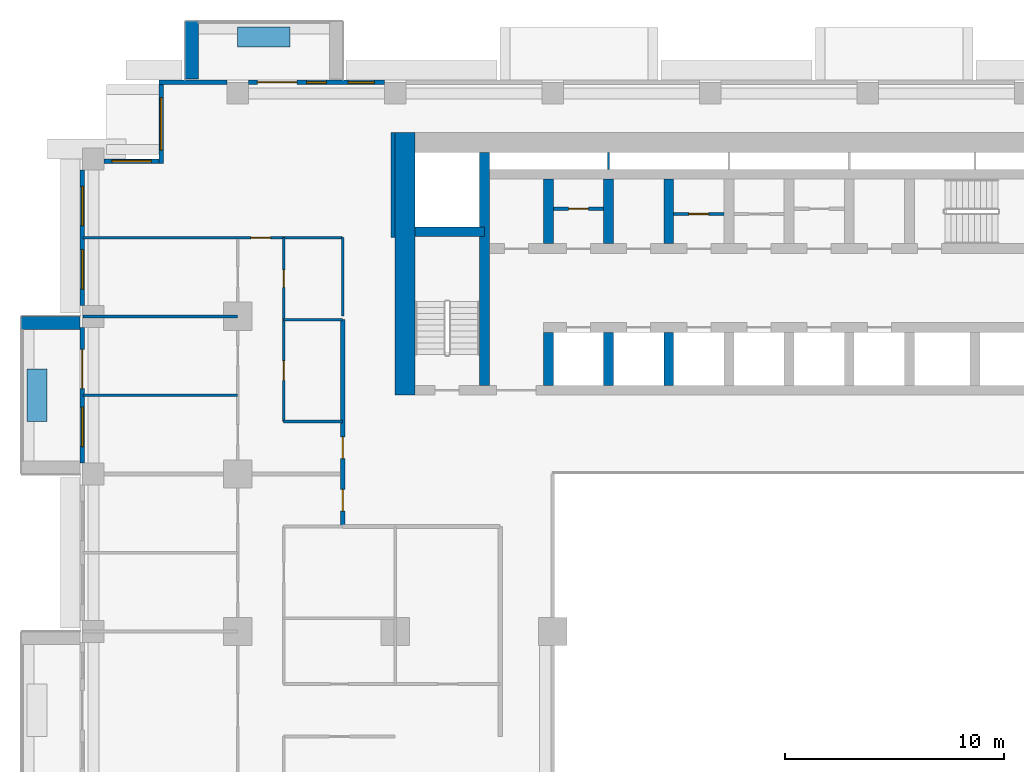
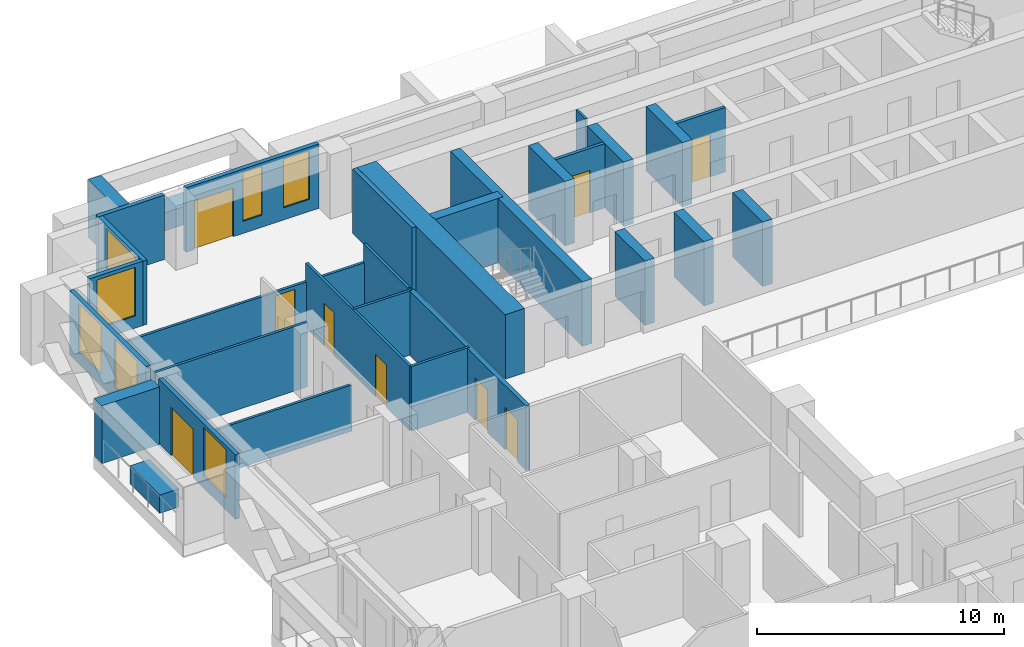
# One storey, part 9 of 17: 31 walls, 9 doors, 7 windows, 16 openings.
"""IFC4 building model written with IfcOpenShell, lengths in metres."""

from ifc_helpers import new_model, si_unit, direction, frame, frame_2d, origin, place, context, subcontext, project, spatial, rectangle, extrude, material, layer, layer_set, type_object, element, fill, save


model = new_model("IFC4")

# Units and contexts
model_context = context("Model", 3, precision=1e-05, world=origin(), true_north=direction((0.0, 1.0)))
body_context = subcontext(model_context, "Body", "Model", "MODEL_VIEW")
ifc_project = project(units=[si_unit("LENGTHUNIT", "METRE"), si_unit("AREAUNIT", "SQUARE_METRE"), si_unit("VOLUMEUNIT", "CUBIC_METRE"), si_unit("PLANEANGLEUNIT", "RADIAN"), si_unit("MASSUNIT", "GRAM", prefix="KILO")], contexts=[model_context])

# Site, building, storey
site_placement = place(None, origin())
site = spatial("IfcSite", under=ifc_project, at=site_placement, CompositionType="ELEMENT")
building_placement = place(site_placement, origin())
building = spatial("IfcBuilding", under=site, at=building_placement, Name="Saffron Iwan Residences", CompositionType="ELEMENT")
storey_placement = place(building_placement, frame((0.0, 0.0, 79.5)))
storey = spatial("IfcBuildingStorey", under=building, at=storey_placement, Name="L20", CompositionType="ELEMENT", Elevation=79.5)

# Walls
ifc_material_1 = material(Name="Concrete C50/60 white painted", Category="concrete")
ifc_layer_1 = layer(ifc_material_1, 0.60009765625)
ifc_layer_set_1 = layer_set([ifc_layer_1], Name="Concrete C50/60 white painted")
wall_type_1 = type_object("IfcWallType", Name="BALCONY FIN 600", PredefinedType="SOLIDWALL", material=ifc_layer_set_1)
wall_1_placement = place(storey_placement, frame((19.5, 80.449951171875, 0.0), z_axis=(0.0, 0.0, 1.0), x_axis=(0.0, 1.0, 0.0)))
element("IfcWall", 1, at=wall_1_placement, inside=storey, type_object=wall_type_1, Name="Balcony fin L20 F5-3b", PredefinedType="SOLIDWALL", context=body_context, shape_type="SweptSolid", body=[
    extrude(rectangle(XDim=2.650146484375, YDim=0.60009765625, at=frame_2d((1.3251953125, 0.0))), origin(), (0.0, 0.0, 1.0), 2.85009765625),
])
wall_2_placement = place(storey_placement, frame((14.39990234375, 69.300048828125, 0.0), z_axis=(0.0, 0.0, 1.0), x_axis=(-1.0, 0.0, 0.0)))
element("IfcWall", 2, at=wall_2_placement, inside=storey, type_object=wall_type_1, Name="Balcony fin L20 F8-0a", PredefinedType="SOLIDWALL", context=body_context, shape_type="SweptSolid", body=[
    extrude(rectangle(XDim=2.699951171875, YDim=0.60009765625, at=frame_2d((1.35009765625, 0.0))), origin(), (0.0, 0.0, 1.0), 2.85009765625),
])
ifc_material_2 = material(Name="Concrete C35/45 white painted", Category="concrete")
ifc_layer_2 = layer(ifc_material_2, 0.14990234375)
ifc_layer_set_2 = layer_set([ifc_layer_2], Name="Concrete C35/45 white painted")
wall_type_2 = type_object("IfcWallType", Name="BALCONY PLANTER", PredefinedType="SOLIDWALL", material=ifc_layer_set_2)
for number, where, z_axis, x_axis, name in (
    (3, (24.0, 82.375, 0.0), (0.0, 0.0, 1.0), (-1.0, 0.0, 0.0), "PLANTER L20 F5-3"),
    (4, (12.425048828125, 67.199951171875, 0.0), (0.0, 0.0, 1.0), (0.0, -1.0, 0.0), "PLANTER L20 F8-0"),
):
    element("IfcWall", number, at=place(storey_placement, frame(where, z_axis=z_axis, x_axis=x_axis)), inside=storey, type_object=wall_type_2, Name=name, PredefinedType="SOLIDWALL", context=body_context, shape_type="SweptSolid", body=[
        extrude(rectangle(XDim=2.39990234375, YDim=0.89990234375, at=frame_2d((1.199951171875, 0.0))), origin(), (0.0, 0.0, 1.0), 0.89990234375),
    ])

# Wall, opening, door
ifc_material_3 = material(Name="Fire-rated plasterboard partition")
ifc_layer_3 = layer(ifc_material_3, 0.14990234375)
ifc_layer_set_3 = layer_set([ifc_layer_3], Name="Fire-rated plasterboard partition")
wall_type_3 = type_object("IfcWallType", Name="Core partition 150", PredefinedType="PARTITIONING", material=ifc_layer_set_3)
wall_3_placement = place(storey_placement, frame((36.02490234375, 74.51806640625, 0.0), z_axis=(0.0, 0.0, 1.0), x_axis=(1.0, 0.0, 0.0)))
wall_3 = element("IfcWall", 5, at=wall_3_placement, inside=storey, type_object=wall_type_3, Name="Core partition P01", PredefinedType="PARTITIONING", context=body_context, shape_type="SweptSolid", body=[
    extrude(rectangle(XDim=2.300048828125, YDim=0.14990234375, at=frame_2d((1.14990234375, 0.0))), origin(), (0.0, 0.0, 1.0), 3.179931640625),
])
opening_1_placement = place(wall_3_placement, frame((0.699951171875, 0.0, 0.0)))
opening_1 = element("IfcOpeningElement", 6, at=opening_1_placement, cuts=wall_3, Name="Opening SB", PredefinedType="OPENING", context=body_context, shape_type="SweptSolid", body=[
    extrude(rectangle(XDim=0.89990234375, YDim=2.10009765625, at=frame_2d((0.449951171875, 1.050048828125))), frame((0.0, 0.0849609375, 0.0), z_axis=(0.0, -1.0, 0.0), x_axis=(1.0, 0.0, 0.0)), (0.0, 0.0, 1.0), 0.169921875),
])
ifc_material_4 = material(Name="Steel fire door", Category="steel")
door_type_1 = type_object("IfcDoorType", Name="Store door 900", OperationType="NOTDEFINED", PredefinedType="DOOR", material=ifc_material_4)
door_1_placement = place(opening_1_placement, origin())
door_1 = element("IfcDoor", 7, at=door_1_placement, inside=storey, type_object=door_type_1, Name="Door Equipment store", OperationType="SINGLE_SWING_RIGHT", OverallHeight=2.10009765625, OverallWidth=0.89990234375, PredefinedType="DOOR", context=body_context, shape_type="SweptSolid", body=[
    extrude(rectangle(XDim=0.89990234375, YDim=2.10009765625, at=frame_2d((0.449951171875, 1.050048828125))), frame((0.0, 0.02490234375, 0.0), z_axis=(0.0, -1.0, 0.0), x_axis=(1.0, 0.0, 0.0)), (0.0, 0.0, 1.0), 0.050048828125),
])
fill(opening_1, door_1)

wall_4_placement = place(storey_placement, frame((41.52490234375, 74.281982421875, 0.0), z_axis=(0.0, 0.0, 1.0), x_axis=(1.0, 0.0, 0.0)))
wall_4 = element("IfcWall", 8, at=wall_4_placement, inside=storey, type_object=wall_type_3, Name="Core partition P02", PredefinedType="PARTITIONING", context=body_context, shape_type="SweptSolid", body=[
    extrude(rectangle(XDim=2.300048828125, YDim=0.14990234375, at=frame_2d((1.14990234375, 0.0))), origin(), (0.0, 0.0, 1.0), 3.179931640625),
])
opening_2_placement = place(wall_4_placement, frame((0.699951171875, 0.0, 0.0)))
opening_2 = element("IfcOpeningElement", 9, at=opening_2_placement, cuts=wall_4, Name="Opening SB", PredefinedType="OPENING", context=body_context, shape_type="SweptSolid", body=[
    extrude(rectangle(XDim=0.89990234375, YDim=2.10009765625, at=frame_2d((0.449951171875, 1.050048828125))), frame((0.0, 0.0849609375, 0.0), z_axis=(0.0, -1.0, 0.0), x_axis=(1.0, 0.0, 0.0)), (0.0, 0.0, 1.0), 0.169921875),
])
door_2_placement = place(opening_2_placement, origin())
door_2 = element("IfcDoor", 10, at=door_2_placement, inside=storey, type_object=door_type_1, Name="Door Spares store", OperationType="SINGLE_SWING_LEFT", OverallHeight=2.10009765625, OverallWidth=0.89990234375, PredefinedType="DOOR", context=body_context, shape_type="SweptSolid", body=[
    extrude(rectangle(XDim=0.89990234375, YDim=2.10009765625, at=frame_2d((0.449951171875, 1.050048828125))), frame((0.0, 0.02490234375, 0.0), z_axis=(0.0, -1.0, 0.0), x_axis=(1.0, 0.0, 0.0)), (0.0, 0.0, 1.0), 0.050048828125),
])
fill(opening_2, door_2)

# Wall, openings, door, windows
ifc_material_5 = material(Name="Concrete C40/50", Category="concrete")
ifc_layer_4 = layer(ifc_material_5, 0.199951171875)
ifc_layer_set_4 = layer_set([ifc_layer_4], Name="Concrete C40/50")
wall_type_4 = type_object("IfcWallType", Name="EXTERNAL WALL 200", PredefinedType="SOLIDWALL", material=ifc_layer_set_4)
wall_5_placement = place(storey_placement, frame((28.300048828125, 80.300048828125, 0.0), z_axis=(0.0, 0.0, 1.0), x_axis=(-1.0, 0.0, 0.0)))
wall_5 = element("IfcWall", 11, at=wall_5_placement, inside=storey, type_object=wall_type_4, Name="External wall L20 F5.8", PredefinedType="SOLIDWALL", context=body_context, shape_type="SweptSolid", body=[
    extrude(rectangle(XDim=6.199951171875, YDim=0.199951171875, at=frame_2d((3.10009765625, 0.0))), origin(), (0.0, 0.0, 1.0), 3.179931640625),
])
opening_3_placement = place(wall_5_placement, frame((4.0, 0.0, 0.0)))
opening_3 = element("IfcOpeningElement", 12, at=opening_3_placement, cuts=wall_5, Name="Opening BD1", PredefinedType="OPENING", context=body_context, shape_type="SweptSolid", body=[
    extrude(rectangle(XDim=1.800048828125, YDim=2.39990234375, at=frame_2d((0.89990234375, 1.199951171875))), frame((0.0, 0.10986328125, 0.0), z_axis=(0.0, -1.0, 0.0), x_axis=(1.0, 0.0, 0.0)), (0.0, 0.0, 1.0), 0.219970703125),
])
opening_4_placement = place(wall_5_placement, frame((0.449951171875, 0.0, 0.60009765625)))
opening_4 = element("IfcOpeningElement", 13, at=opening_4_placement, cuts=wall_5, Name="Opening W3", PredefinedType="OPENING", context=body_context, shape_type="SweptSolid", body=[
    extrude(rectangle(XDim=1.199951171875, YDim=2.39990234375, at=frame_2d((0.60009765625, 1.199951171875))), frame((0.0, 0.10986328125, 0.0), z_axis=(0.0, -1.0, 0.0), x_axis=(1.0, 0.0, 0.0)), (0.0, 0.0, 1.0), 0.219970703125),
])
opening_5_placement = place(wall_5_placement, frame((2.64990234375, 0.0, 0.60009765625)))
opening_5 = element("IfcOpeningElement", 14, at=opening_5_placement, cuts=wall_5, Name="Opening W10", PredefinedType="OPENING", context=body_context, shape_type="SweptSolid", body=[
    extrude(rectangle(XDim=0.89990234375, YDim=2.39990234375, at=frame_2d((0.449951171875, 1.199951171875))), frame((0.0, 0.10986328125, 0.0), z_axis=(0.0, -1.0, 0.0), x_axis=(1.0, 0.0, 0.0)), (0.0, 0.0, 1.0), 0.219970703125),
])
ifc_material_6 = material(Name="Clear glass, laminated double glazed", Category="glass")
door_type_2 = type_object("IfcDoorType", Name="BALCONY DOOR 1800 x 2400", OperationType="DOUBLE_DOOR_SLIDING", PredefinedType="DOOR", material=ifc_material_6)
door_3_placement = place(opening_3_placement, origin())
door_3 = element("IfcDoor", 15, at=door_3_placement, inside=storey, type_object=door_type_2, Name="Balcony door L20 F5.0", OperationType="DOUBLE_DOOR_SLIDING", OverallHeight=2.39990234375, OverallWidth=1.800048828125, PredefinedType="DOOR", context=body_context, shape_type="SweptSolid", body=[
    extrude(rectangle(XDim=1.800048828125, YDim=2.39990234375, at=frame_2d((0.89990234375, 1.199951171875))), frame((0.0, 0.02490234375, 0.0), z_axis=(0.0, -1.0, 0.0), x_axis=(1.0, 0.0, 0.0)), (0.0, 0.0, 1.0), 0.050048828125),
])
fill(opening_3, door_3)
window_type_1 = type_object("IfcWindowType", Name="WINDOW 1200 x 2400", PartitioningType="SINGLE_PANEL", PredefinedType="WINDOW", material=ifc_material_6)
window_1_placement = place(opening_4_placement, origin())
window_1 = element("IfcWindow", 16, at=window_1_placement, inside=storey, type_object=window_type_1, Name="Window L20 F5.1", OverallHeight=2.39990234375, OverallWidth=1.199951171875, PartitioningType="SINGLE_PANEL", PredefinedType="WINDOW", context=body_context, shape_type="SweptSolid", body=[
    extrude(rectangle(XDim=1.199951171875, YDim=2.39990234375, at=frame_2d((0.60009765625, 1.199951171875))), frame((0.0, 0.030029296875, 0.0), z_axis=(0.0, -1.0, 0.0), x_axis=(1.0, 0.0, 0.0)), (0.0, 0.0, 1.0), 0.06005859375),
])
fill(opening_4, window_1)
window_type_2 = type_object("IfcWindowType", Name="WINDOW 900 x 2400", PartitioningType="SINGLE_PANEL", PredefinedType="WINDOW", material=ifc_material_6)
window_2_placement = place(opening_5_placement, origin())
window_2 = element("IfcWindow", 17, at=window_2_placement, inside=storey, type_object=window_type_2, Name="Window L20 F5.2", OverallHeight=2.39990234375, OverallWidth=0.89990234375, PartitioningType="SINGLE_PANEL", PredefinedType="WINDOW", context=body_context, shape_type="SweptSolid", body=[
    extrude(rectangle(XDim=0.89990234375, YDim=2.39990234375, at=frame_2d((0.449951171875, 1.199951171875))), frame((0.0, 0.030029296875, 0.0), z_axis=(0.0, -1.0, 0.0), x_axis=(1.0, 0.0, 0.0)), (0.0, 0.0, 1.0), 0.06005859375),
])
fill(opening_5, window_2)

# Wall
wall_6_placement = place(storey_placement, frame((21.10009765625, 80.300048828125, 0.0), z_axis=(0.0, 0.0, 1.0), x_axis=(-1.0, 0.0, 0.0)))
element("IfcWall", 18, at=wall_6_placement, inside=storey, type_object=wall_type_4, Name="External wall L20 F5.9", PredefinedType="SOLIDWALL", context=body_context, shape_type="SweptSolid", body=[
    extrude(rectangle(XDim=3.10009765625, YDim=0.199951171875, at=frame_2d((1.550048828125, 0.0))), origin(), (0.0, 0.0, 1.0), 3.179931640625),
])

# Wall, opening, window
wall_7_placement = place(storey_placement, frame((18.10009765625, 80.199951171875, 0.0), z_axis=(0.0, 0.0, 1.0), x_axis=(0.0, -1.0, 0.0)))
wall_7 = element("IfcWall", 19, at=wall_7_placement, inside=storey, type_object=wall_type_4, Name="External wall L20 F6.0", PredefinedType="SOLIDWALL", context=body_context, shape_type="SweptSolid", body=[
    extrude(rectangle(XDim=3.599853515625, YDim=0.199951171875, at=frame_2d((1.7998046875, 0.0))), origin(), (0.0, 0.0, 1.0), 3.179931640625),
])
opening_6_placement = place(wall_7_placement, frame((0.60009765625, 0.0, 0.60009765625)))
opening_6 = element("IfcOpeningElement", 20, at=opening_6_placement, cuts=wall_7, Name="Opening W1", PredefinedType="OPENING", context=body_context, shape_type="SweptSolid", body=[
    extrude(rectangle(XDim=2.39990234375, YDim=2.39990234375, at=frame_2d((1.199951171875, 1.199951171875))), frame((0.0, 0.10986328125, 0.0), z_axis=(0.0, -1.0, 0.0), x_axis=(1.0, 0.0, 0.0)), (0.0, 0.0, 1.0), 0.219970703125),
])
window_type_3 = type_object("IfcWindowType", Name="WINDOW 2400 x 2400", PartitioningType="DOUBLE_PANEL_VERTICAL", PredefinedType="WINDOW", material=ifc_material_6)
window_3_placement = place(opening_6_placement, origin())
window_3 = element("IfcWindow", 21, at=window_3_placement, inside=storey, type_object=window_type_3, Name="Window L20 F6.0", OverallHeight=2.39990234375, OverallWidth=2.39990234375, PartitioningType="DOUBLE_PANEL_VERTICAL", PredefinedType="WINDOW", context=body_context, shape_type="SweptSolid", body=[
    extrude(rectangle(XDim=2.39990234375, YDim=2.39990234375, at=frame_2d((1.199951171875, 1.199951171875))), frame((0.0, 0.030029296875, 0.0), z_axis=(0.0, -1.0, 0.0), x_axis=(1.0, 0.0, 0.0)), (0.0, 0.0, 1.0), 0.06005859375),
])
fill(opening_6, window_3)

wall_8_placement = place(storey_placement, frame((18.0, 76.699951171875, 0.0), z_axis=(0.0, 0.0, 1.0), x_axis=(-1.0, 0.0, 0.0)))
wall_8 = element("IfcWall", 22, at=wall_8_placement, inside=storey, type_object=wall_type_4, Name="External wall L20 F7.0", PredefinedType="SOLIDWALL", context=body_context, shape_type="SweptSolid", body=[
    extrude(rectangle(XDim=2.5, YDim=0.199951171875, at=frame_2d((1.25, 0.0))), origin(), (0.0, 0.0, 1.0), 3.179931640625),
])
opening_7_placement = place(wall_8_placement, frame((0.35009765625, 0.0, 0.60009765625)))
opening_7 = element("IfcOpeningElement", 23, at=opening_7_placement, cuts=wall_8, Name="Opening W8", PredefinedType="OPENING", context=body_context, shape_type="SweptSolid", body=[
    extrude(rectangle(XDim=1.800048828125, YDim=2.39990234375, at=frame_2d((0.89990234375, 1.199951171875))), frame((0.0, 0.10986328125, 0.0), z_axis=(0.0, -1.0, 0.0), x_axis=(1.0, 0.0, 0.0)), (0.0, 0.0, 1.0), 0.219970703125),
])
window_type_4 = type_object("IfcWindowType", Name="WINDOW 1800 x 2400", PartitioningType="DOUBLE_PANEL_VERTICAL", PredefinedType="WINDOW", material=ifc_material_6)
window_4_placement = place(opening_7_placement, origin())
window_4 = element("IfcWindow", 24, at=window_4_placement, inside=storey, type_object=window_type_4, Name="Window L20 F7.0", OverallHeight=2.39990234375, OverallWidth=1.800048828125, PartitioningType="DOUBLE_PANEL_VERTICAL", PredefinedType="WINDOW", context=body_context, shape_type="SweptSolid", body=[
    extrude(rectangle(XDim=1.800048828125, YDim=2.39990234375, at=frame_2d((0.89990234375, 1.199951171875))), frame((0.0, 0.030029296875, 0.0), z_axis=(0.0, -1.0, 0.0), x_axis=(1.0, 0.0, 0.0)), (0.0, 0.0, 1.0), 0.06005859375),
])
fill(opening_7, window_4)

# Wall, openings, windows
wall_9_placement = place(storey_placement, frame((14.5, 76.300048828125, 0.0), z_axis=(0.0, 0.0, 1.0), x_axis=(0.0, -1.0, 0.0)))
wall_9 = element("IfcWall", 25, at=wall_9_placement, inside=storey, type_object=wall_type_4, Name="External wall L20 F8.0", PredefinedType="SOLIDWALL", context=body_context, shape_type="SweptSolid", body=[
    extrude(rectangle(XDim=6.199951171875, YDim=0.199951171875, at=frame_2d((3.10009765625, 0.0))), origin(), (0.0, 0.0, 1.0), 3.179931640625),
])
opening_8_placement = place(wall_9_placement, frame((3.64990234375, 0.0, 0.60009765625)))
opening_8 = element("IfcOpeningElement", 26, at=opening_8_placement, cuts=wall_9, Name="Opening W8", PredefinedType="OPENING", context=body_context, shape_type="SweptSolid", body=[
    extrude(rectangle(XDim=1.800048828125, YDim=2.39990234375, at=frame_2d((0.89990234375, 1.199951171875))), frame((0.0, 0.10986328125, 0.0), z_axis=(0.0, -1.0, 0.0), x_axis=(1.0, 0.0, 0.0)), (0.0, 0.0, 1.0), 0.219970703125),
])
opening_9_placement = place(wall_9_placement, frame((0.75, 0.0, 0.60009765625)))
opening_9 = element("IfcOpeningElement", 27, at=opening_9_placement, cuts=wall_9, Name="Opening W8", PredefinedType="OPENING", context=body_context, shape_type="SweptSolid", body=[
    extrude(rectangle(XDim=1.800048828125, YDim=2.39990234375, at=frame_2d((0.89990234375, 1.199951171875))), frame((0.0, 0.10986328125, 0.0), z_axis=(0.0, -1.0, 0.0), x_axis=(1.0, 0.0, 0.0)), (0.0, 0.0, 1.0), 0.219970703125),
])
window_5_placement = place(opening_8_placement, origin())
window_5 = element("IfcWindow", 28, at=window_5_placement, inside=storey, type_object=window_type_4, Name="Window L20 F8.0", OverallHeight=2.39990234375, OverallWidth=1.800048828125, PartitioningType="DOUBLE_PANEL_VERTICAL", PredefinedType="WINDOW", context=body_context, shape_type="SweptSolid", body=[
    extrude(rectangle(XDim=1.800048828125, YDim=2.39990234375, at=frame_2d((0.89990234375, 1.199951171875))), frame((0.0, 0.030029296875, 0.0), z_axis=(0.0, -1.0, 0.0), x_axis=(1.0, 0.0, 0.0)), (0.0, 0.0, 1.0), 0.06005859375),
])
fill(opening_8, window_5)
window_6_placement = place(opening_9_placement, origin())
window_6 = element("IfcWindow", 29, at=window_6_placement, inside=storey, type_object=window_type_4, Name="Window L20 F8.1", OverallHeight=2.39990234375, OverallWidth=1.800048828125, PartitioningType="DOUBLE_PANEL_VERTICAL", PredefinedType="WINDOW", context=body_context, shape_type="SweptSolid", body=[
    extrude(rectangle(XDim=1.800048828125, YDim=2.39990234375, at=frame_2d((0.89990234375, 1.199951171875))), frame((0.0, 0.030029296875, 0.0), z_axis=(0.0, -1.0, 0.0), x_axis=(1.0, 0.0, 0.0)), (0.0, 0.0, 1.0), 0.06005859375),
])
fill(opening_9, window_6)

# Wall, openings, door, window
wall_10_placement = place(storey_placement, frame((14.5, 69.10009765625, 0.0), z_axis=(0.0, 0.0, 1.0), x_axis=(0.0, -1.0, 0.0)))
wall_10 = element("IfcWall", 30, at=wall_10_placement, inside=storey, type_object=wall_type_4, Name="External wall L20 F8.1", PredefinedType="SOLIDWALL", context=body_context, shape_type="SweptSolid", body=[
    extrude(rectangle(XDim=6.2001953125, YDim=0.199951171875, at=frame_2d((3.10009765625, 0.0))), origin(), (0.0, 0.0, 1.0), 3.179931640625),
])
opening_10_placement = place(wall_10_placement, frame((1.0, 0.0, 0.0)))
opening_10 = element("IfcOpeningElement", 31, at=opening_10_placement, cuts=wall_10, Name="Opening BD1", PredefinedType="OPENING", context=body_context, shape_type="SweptSolid", body=[
    extrude(rectangle(XDim=1.800048828125, YDim=2.39990234375, at=frame_2d((0.89990234375, 1.199951171875))), frame((0.0, 0.10986328125, 0.0), z_axis=(0.0, -1.0, 0.0), x_axis=(1.0, 0.0, 0.0)), (0.0, 0.0, 1.0), 0.219970703125),
])
opening_11_placement = place(wall_10_placement, frame((3.64990234375, 0.0, 0.60009765625)))
opening_11 = element("IfcOpeningElement", 32, at=opening_11_placement, cuts=wall_10, Name="Opening W8", PredefinedType="OPENING", context=body_context, shape_type="SweptSolid", body=[
    extrude(rectangle(XDim=1.800048828125, YDim=2.39990234375, at=frame_2d((0.89990234375, 1.199951171875))), frame((0.0, 0.10986328125, 0.0), z_axis=(0.0, -1.0, 0.0), x_axis=(1.0, 0.0, 0.0)), (0.0, 0.0, 1.0), 0.219970703125),
])
door_4_placement = place(opening_10_placement, origin())
door_4 = element("IfcDoor", 33, at=door_4_placement, inside=storey, type_object=door_type_2, Name="Balcony door L20 F8.0", OperationType="DOUBLE_DOOR_SLIDING", OverallHeight=2.39990234375, OverallWidth=1.800048828125, PredefinedType="DOOR", context=body_context, shape_type="SweptSolid", body=[
    extrude(rectangle(XDim=1.800048828125, YDim=2.39990234375, at=frame_2d((0.89990234375, 1.199951171875))), frame((0.0, 0.02490234375, 0.0), z_axis=(0.0, -1.0, 0.0), x_axis=(1.0, 0.0, 0.0)), (0.0, 0.0, 1.0), 0.050048828125),
])
fill(opening_10, door_4)
window_7_placement = place(opening_11_placement, origin())
window_7 = element("IfcWindow", 34, at=window_7_placement, inside=storey, type_object=window_type_4, Name="Window L20 F8.1", OverallHeight=2.39990234375, OverallWidth=1.800048828125, PartitioningType="DOUBLE_PANEL_VERTICAL", PredefinedType="WINDOW", context=body_context, shape_type="SweptSolid", body=[
    extrude(rectangle(XDim=1.800048828125, YDim=2.39990234375, at=frame_2d((0.89990234375, 1.199951171875))), frame((0.0, 0.030029296875, 0.0), z_axis=(0.0, -1.0, 0.0), x_axis=(1.0, 0.0, 0.0)), (0.0, 0.0, 1.0), 0.06005859375),
])
fill(opening_11, window_7)

# Walls
ifc_material_7 = material(Name="Gypsum board partition")
ifc_layer_5 = layer(ifc_material_7, 0.1201171875)
ifc_layer_set_5 = layer_set([ifc_layer_5], Name="Gypsum board partition")
wall_type_5 = type_object("IfcWallType", Name="Flat partition 120", PredefinedType="PARTITIONING", material=ifc_layer_set_5)
wall_11_placement = place(storey_placement, frame((23.699951171875, 64.800048828125, 0.0), z_axis=(0.0, 0.0, 1.0), x_axis=(1.0, 0.0, 0.0)))
element("IfcWall", 35, at=wall_11_placement, inside=storey, type_object=wall_type_5, Name="W-L20-PART-h64.8-23.7", PredefinedType="PARTITIONING", context=body_context, shape_type="SweptSolid", body=[
    extrude(rectangle(XDim=2.699951171875, YDim=0.1201171875, at=frame_2d((1.35009765625, 0.0))), origin(), (0.0, 0.0, 1.0), 3.179931640625),
])
wall_12_placement = place(storey_placement, frame((14.52490234375, 66.0, 0.0), z_axis=(0.0, 0.0, 1.0), x_axis=(1.0, 0.0, 0.0)))
element("IfcWall", 36, at=wall_12_placement, inside=storey, type_object=wall_type_5, Name="W-L20-PART-h66-14.525", PredefinedType="PARTITIONING", context=body_context, shape_type="SweptSolid", body=[
    extrude(rectangle(XDim=7.0751953125, YDim=0.1201171875, at=frame_2d((3.53759765625, 0.0))), origin(), (0.0, 0.0, 1.0), 2.280029296875),
])
wall_13_placement = place(storey_placement, frame((23.699951171875, 69.449951171875, 0.0), z_axis=(0.0, 0.0, 1.0), x_axis=(1.0, 0.0, 0.0)))
element("IfcWall", 37, at=wall_13_placement, inside=storey, type_object=wall_type_5, Name="W-L20-PART-h69.45-23.7", PredefinedType="PARTITIONING", context=body_context, shape_type="SweptSolid", body=[
    extrude(rectangle(XDim=2.699951171875, YDim=0.1201171875, at=frame_2d((1.35009765625, 0.0))), origin(), (0.0, 0.0, 1.0), 3.179931640625),
])
wall_14_placement = place(storey_placement, frame((14.52490234375, 69.60009765625, 0.0), z_axis=(0.0, 0.0, 1.0), x_axis=(1.0, 0.0, 0.0)))
element("IfcWall", 38, at=wall_14_placement, inside=storey, type_object=wall_type_5, Name="W-L20-PART-h69.6-14.525", PredefinedType="PARTITIONING", context=body_context, shape_type="SweptSolid", body=[
    extrude(rectangle(XDim=7.0751953125, YDim=0.1201171875, at=frame_2d((3.53759765625, 0.0))), origin(), (0.0, 0.0, 1.0), 3.179931640625),
])

# Wall, opening, door
wall_15_placement = place(storey_placement, frame((14.52490234375, 73.199951171875, 0.0), z_axis=(0.0, 0.0, 1.0), x_axis=(1.0, 0.0, 0.0)))
wall_15 = element("IfcWall", 39, at=wall_15_placement, inside=storey, type_object=wall_type_5, Name="W-L20-PART-h73.2-14.525", PredefinedType="PARTITIONING", context=body_context, shape_type="SweptSolid", body=[
    extrude(rectangle(XDim=11.875, YDim=0.1201171875, at=frame_2d((5.9375, 0.0))), origin(), (0.0, 0.0, 1.0), 2.280029296875),
])
opening_12_placement = place(wall_15_placement, frame((7.675048828125, 0.0, 0.0)))
opening_12 = element("IfcOpeningElement", 40, at=opening_12_placement, cuts=wall_15, Name="Opening FD2", PredefinedType="OPENING", context=body_context, shape_type="SweptSolid", body=[
    extrude(rectangle(XDim=0.89990234375, YDim=2.10009765625, at=frame_2d((0.449951171875, 1.050048828125))), frame((0.0, 0.070068359375, 0.0), z_axis=(0.0, -1.0, 0.0), x_axis=(1.0, 0.0, 0.0)), (0.0, 0.0, 1.0), 0.14013671875),
])
ifc_material_8 = material(Name="Timber door", Category="wood")
door_type_3 = type_object("IfcDoorType", Name="Flat door 900", OperationType="NOTDEFINED", PredefinedType="DOOR", material=ifc_material_8)
door_5_placement = place(opening_12_placement, origin())
door_5 = element("IfcDoor", 41, at=door_5_placement, inside=storey, type_object=door_type_3, Name="Door L20-033", OperationType="SINGLE_SWING_LEFT", OverallHeight=2.10009765625, OverallWidth=0.89990234375, PredefinedType="DOOR", context=body_context, shape_type="SweptSolid", body=[
    extrude(rectangle(XDim=0.89990234375, YDim=2.10009765625, at=frame_2d((0.449951171875, 1.050048828125))), frame((0.0, 0.02490234375, 0.0), z_axis=(0.0, -1.0, 0.0), x_axis=(1.0, 0.0, 0.0)), (0.0, 0.0, 1.0), 0.050048828125),
])
fill(opening_12, door_5)

# Wall, openings, doors
wall_16_placement = place(storey_placement, frame((23.699951171875, 64.800048828125, 0.0), z_axis=(0.0, 0.0, 1.0), x_axis=(0.0, 1.0, 0.0)))
wall_16 = element("IfcWall", 42, at=wall_16_placement, inside=storey, type_object=wall_type_5, Name="W-L20-PART-v23.7-64.8", PredefinedType="PARTITIONING", context=body_context, shape_type="SweptSolid", body=[
    extrude(rectangle(XDim=8.39990234375, YDim=0.1201171875, at=frame_2d((4.199951171875, 0.0))), origin(), (0.0, 0.0, 1.0), 3.179931640625),
])
opening_13_placement = place(wall_16_placement, frame((1.875, 0.0, 0.0)))
opening_13 = element("IfcOpeningElement", 43, at=opening_13_placement, cuts=wall_16, Name="Opening FD2", PredefinedType="OPENING", context=body_context, shape_type="SweptSolid", body=[
    extrude(rectangle(XDim=0.89990234375, YDim=2.10009765625, at=frame_2d((0.449951171875, 1.050048828125))), frame((0.0, 0.070068359375, 0.0), z_axis=(0.0, -1.0, 0.0), x_axis=(1.0, 0.0, 0.0)), (0.0, 0.0, 1.0), 0.14013671875),
])
opening_14_placement = place(wall_16_placement, frame((6.125, 0.0, 0.0)))
opening_14 = element("IfcOpeningElement", 44, at=opening_14_placement, cuts=wall_16, Name="Opening FD3", PredefinedType="OPENING", context=body_context, shape_type="SweptSolid", body=[
    extrude(rectangle(XDim=0.800048828125, YDim=2.10009765625, at=frame_2d((0.39990234375, 1.050048828125))), frame((0.0, 0.070068359375, 0.0), z_axis=(0.0, -1.0, 0.0), x_axis=(1.0, 0.0, 0.0)), (0.0, 0.0, 1.0), 0.14013671875),
])
door_type_4 = type_object("IfcDoorType", Name="Bathroom door 800", OperationType="NOTDEFINED", PredefinedType="DOOR", material=ifc_material_8)
door_6_placement = place(opening_14_placement, origin())
door_6 = element("IfcDoor", 45, at=door_6_placement, inside=storey, type_object=door_type_4, Name="Door L20-035", OperationType="SINGLE_SWING_RIGHT", OverallHeight=2.10009765625, OverallWidth=0.800048828125, PredefinedType="DOOR", context=body_context, shape_type="SweptSolid", body=[
    extrude(rectangle(XDim=0.800048828125, YDim=2.10009765625, at=frame_2d((0.39990234375, 1.050048828125))), frame((0.0, 0.02490234375, 0.0), z_axis=(0.0, -1.0, 0.0), x_axis=(1.0, 0.0, 0.0)), (0.0, 0.0, 1.0), 0.050048828125),
])
fill(opening_14, door_6)
door_7_placement = place(opening_13_placement, origin())
door_7 = element("IfcDoor", 46, at=door_7_placement, inside=storey, type_object=door_type_3, Name="Door L20-034", OperationType="SINGLE_SWING_LEFT", OverallHeight=2.10009765625, OverallWidth=0.89990234375, PredefinedType="DOOR", context=body_context, shape_type="SweptSolid", body=[
    extrude(rectangle(XDim=0.89990234375, YDim=2.10009765625, at=frame_2d((0.449951171875, 1.050048828125))), frame((0.0, 0.02490234375, 0.0), z_axis=(0.0, -1.0, 0.0), x_axis=(1.0, 0.0, 0.0)), (0.0, 0.0, 1.0), 0.050048828125),
])
fill(opening_13, door_7)

# Wall
wall_17_placement = place(storey_placement, frame((26.39990234375, 69.6201171875, 0.0), z_axis=(0.0, 0.0, 1.0), x_axis=(0.0, 1.0, 0.0)))
element("IfcWall", 47, at=wall_17_placement, inside=storey, type_object=wall_type_5, Name="W-L20-PART-v26.4-69.62", PredefinedType="PARTITIONING", context=body_context, shape_type="SweptSolid", body=[
    extrude(rectangle(XDim=3.579833984375, YDim=0.1201171875, at=frame_2d((1.7900390625, 0.0))), origin(), (0.0, 0.0, 1.0), 3.179931640625),
])

# Wall, openings, doors
ifc_material_9 = material(Name="Fire-rated gypsum board wall")
ifc_layer_6 = layer(ifc_material_9, 0.199951171875)
ifc_layer_set_6 = layer_set([ifc_layer_6], Name="Fire-rated gypsum board wall")
wall_type_6 = type_object("IfcWallType", Name="Gallery wall 200", PredefinedType="SOLIDWALL", material=ifc_layer_set_6)
wall_18_placement = place(storey_placement, frame((26.39990234375, 60.0, 0.0), z_axis=(0.0, 0.0, 1.0), x_axis=(0.0, 1.0, 0.0)))
wall_18 = element("IfcWall", 48, at=wall_18_placement, inside=storey, type_object=wall_type_6, Name="W-L20-CORR-v26.4-60", PredefinedType="SOLIDWALL", context=body_context, shape_type="SweptSolid", body=[
    extrude(rectangle(XDim=9.449951171875, YDim=0.199951171875, at=frame_2d((4.72509765625, 0.0))), origin(), (0.0, 0.0, 1.0), 3.179931640625),
])
opening_15_placement = place(wall_18_placement, frame((0.699951171875, 0.0, 0.0)))
opening_15 = element("IfcOpeningElement", 49, at=opening_15_placement, cuts=wall_18, Name="Opening FD1", PredefinedType="OPENING", context=body_context, shape_type="SweptSolid", body=[
    extrude(rectangle(XDim=1.0, YDim=2.10009765625, at=frame_2d((0.5, 1.050048828125))), frame((0.0, 0.10986328125, 0.0), z_axis=(0.0, -1.0, 0.0), x_axis=(1.0, 0.0, 0.0)), (0.0, 0.0, 1.0), 0.219970703125),
])
opening_16_placement = place(wall_18_placement, frame((3.10009765625, 0.0, 0.0)))
opening_16 = element("IfcOpeningElement", 50, at=opening_16_placement, cuts=wall_18, Name="Opening FD1", PredefinedType="OPENING", context=body_context, shape_type="SweptSolid", body=[
    extrude(rectangle(XDim=1.0, YDim=2.10009765625, at=frame_2d((0.5, 1.050048828125))), frame((0.0, 0.10986328125, 0.0), z_axis=(0.0, -1.0, 0.0), x_axis=(1.0, 0.0, 0.0)), (0.0, 0.0, 1.0), 0.219970703125),
])
ifc_material_10 = material(Name="Fire-rated timber door", Category="wood")
door_type_5 = type_object("IfcDoorType", Name="FD30S flat entrance door 1000", OperationType="NOTDEFINED", PredefinedType="DOOR", material=ifc_material_10)
door_8_placement = place(opening_15_placement, origin())
door_8 = element("IfcDoor", 51, at=door_8_placement, inside=storey, type_object=door_type_5, Name="Door L20-013", OperationType="SINGLE_SWING_LEFT", OverallHeight=2.10009765625, OverallWidth=1.0, PredefinedType="DOOR", context=body_context, shape_type="SweptSolid", body=[
    extrude(rectangle(XDim=1.0, YDim=2.10009765625, at=frame_2d((0.5, 1.050048828125))), frame((0.0, 0.02490234375, 0.0), z_axis=(0.0, -1.0, 0.0), x_axis=(1.0, 0.0, 0.0)), (0.0, 0.0, 1.0), 0.050048828125),
])
fill(opening_15, door_8)
door_9_placement = place(opening_16_placement, origin())
door_9 = element("IfcDoor", 52, at=door_9_placement, inside=storey, type_object=door_type_5, Name="Door L20-029", OperationType="SINGLE_SWING_RIGHT", OverallHeight=2.10009765625, OverallWidth=1.0, PredefinedType="DOOR", context=body_context, shape_type="SweptSolid", body=[
    extrude(rectangle(XDim=1.0, YDim=2.10009765625, at=frame_2d((0.5, 1.050048828125))), frame((0.0, 0.02490234375, 0.0), z_axis=(0.0, -1.0, 0.0), x_axis=(1.0, 0.0, 0.0)), (0.0, 0.0, 1.0), 0.050048828125),
])
fill(opening_16, door_9)

# Walls
wall_19_placement = place(storey_placement, frame((28.699951171875, 73.199951171875, 0.0), z_axis=(0.0, 0.0, 1.0), x_axis=(0.0, 1.0, 0.0)))
element("IfcWall", 53, at=wall_19_placement, inside=storey, type_object=wall_type_6, Name="W-L20-CORR-v28.8-73.2", PredefinedType="SOLIDWALL", context=body_context, shape_type="SweptSolid", body=[
    extrude(rectangle(XDim=4.800048828125, YDim=0.199951171875, at=frame_2d((2.39990234375, 0.0))), origin(), (0.0, 0.0, 1.0), 3.179931640625),
])
ifc_layer_7 = layer(ifc_material_3, 0.10009765625)
ifc_layer_set_7 = layer_set([ifc_layer_7], Name="Fire-rated plasterboard partition")
wall_type_7 = type_object("IfcWallType", Name="Riser partition 100", PredefinedType="PARTITIONING", material=ifc_layer_set_7)
wall_20_placement = place(storey_placement, frame((38.550048828125, 76.324951171875, 0.0), z_axis=(0.0, 0.0, 1.0), x_axis=(0.0, 1.0, 0.0)))
element("IfcWall", 54, at=wall_20_placement, inside=storey, type_object=wall_type_7, Name="Core partition P05", PredefinedType="PARTITIONING", context=body_context, shape_type="SweptSolid", body=[
    extrude(rectangle(XDim=0.775146484375, YDim=0.10009765625, at=frame_2d((0.3876953125, 0.0))), origin(), (0.0, 0.0, 1.0), 3.179931640625),
])
ifc_material_11 = material(Name="Concrete C60/75", Category="concrete")
ifc_layer_8 = layer(ifc_material_11, 0.449951171875)
ifc_layer_set_8 = layer_set([ifc_layer_8], Name="Concrete C60/75")
wall_type_8 = type_object("IfcWallType", Name="WALL CORE 450 C60/75 3180 HIGH", PredefinedType="SHEAR", material=ifc_layer_set_8)
wall_21_placement = place(storey_placement, frame((29.699951171875, 73.47509765625, 0.0), z_axis=(0.0, 0.0, 1.0), x_axis=(1.0, 0.0, 0.0)))
element("IfcWall", 55, at=wall_21_placement, inside=storey, type_object=wall_type_8, Name="Core wall", PredefinedType="SHEAR", context=body_context, shape_type="SweptSolid", body=[
    extrude(rectangle(XDim=3.175048828125, YDim=0.449951171875, at=frame_2d((1.58740234375, 0.0))), origin(), (0.0, 0.0, 1.0), 3.179931640625),
])
wall_22_placement = place(storey_placement, frame((32.875, 66.449951171875, 0.0), z_axis=(0.0, 0.0, 1.0), x_axis=(0.0, 1.0, 0.0)))
element("IfcWall", 56, at=wall_22_placement, inside=storey, type_object=wall_type_8, Name="Core wall", PredefinedType="SHEAR", context=body_context, shape_type="SweptSolid", body=[
    extrude(rectangle(XDim=10.650146484375, YDim=0.449951171875, at=frame_2d((5.3251953125, 0.0))), origin(), (0.0, 0.0, 1.0), 3.179931640625),
])
for number, where, z_axis, x_axis, name in (
    (57, (35.800048828125, 66.449951171875, 0.0), (0.0, 0.0, 1.0), (0.0, 1.0, 0.0), "Core wall"),
    (58, (38.550048828125, 66.449951171875, 0.0), (0.0, 0.0, 1.0), (0.0, 1.0, 0.0), "Core wall"),
    (59, (41.300048828125, 66.449951171875, 0.0), (0.0, 0.0, 1.0), (0.0, 1.0, 0.0), "Core wall"),
):
    element("IfcWall", number, at=place(storey_placement, frame(where, z_axis=z_axis, x_axis=x_axis)), inside=storey, type_object=wall_type_8, Name=name, PredefinedType="SHEAR", context=body_context, shape_type="SweptSolid", body=[
        extrude(rectangle(XDim=2.425048828125, YDim=0.449951171875, at=frame_2d((1.21240234375, 0.0))), origin(), (0.0, 0.0, 1.0), 3.179931640625),
    ])
for number, where, z_axis, x_axis, name in (
    (60, (35.800048828125, 72.925048828125, 0.0), (0.0, 0.0, 1.0), (0.0, 1.0, 0.0), "Core wall"),
    (61, (38.550048828125, 72.925048828125, 0.0), (0.0, 0.0, 1.0), (0.0, 1.0, 0.0), "Core wall"),
    (62, (41.300048828125, 72.925048828125, 0.0), (0.0, 0.0, 1.0), (0.0, 1.0, 0.0), "Core wall"),
):
    element("IfcWall", number, at=place(storey_placement, frame(where, z_axis=z_axis, x_axis=x_axis)), inside=storey, type_object=wall_type_8, Name=name, PredefinedType="SHEAR", context=body_context, shape_type="SweptSolid", body=[
        extrude(rectangle(XDim=2.949951171875, YDim=0.449951171875, at=frame_2d((1.47509765625, 0.0))), origin(), (0.0, 0.0, 1.0), 3.179931640625),
    ])
ifc_layer_9 = layer(ifc_material_11, 0.89990234375)
ifc_layer_set_9 = layer_set([ifc_layer_9], Name="Concrete C60/75")
wall_type_9 = type_object("IfcWallType", Name="WALL CORE 900 C60/75 3180 HIGH", PredefinedType="SHEAR", material=ifc_layer_set_9)
wall_23_placement = place(storey_placement, frame((29.25, 66.0, 0.0), z_axis=(0.0, 0.0, 1.0), x_axis=(0.0, 1.0, 0.0)))
element("IfcWall", 63, at=wall_23_placement, inside=storey, type_object=wall_type_9, Name="Core wall", PredefinedType="SHEAR", context=body_context, shape_type="SweptSolid", body=[
    extrude(rectangle(XDim=12.0, YDim=0.89990234375, at=frame_2d((6.0, 0.0))), origin(), (0.0, 0.0, 1.0), 3.179931640625),
])

save(model, "model.ifc")
